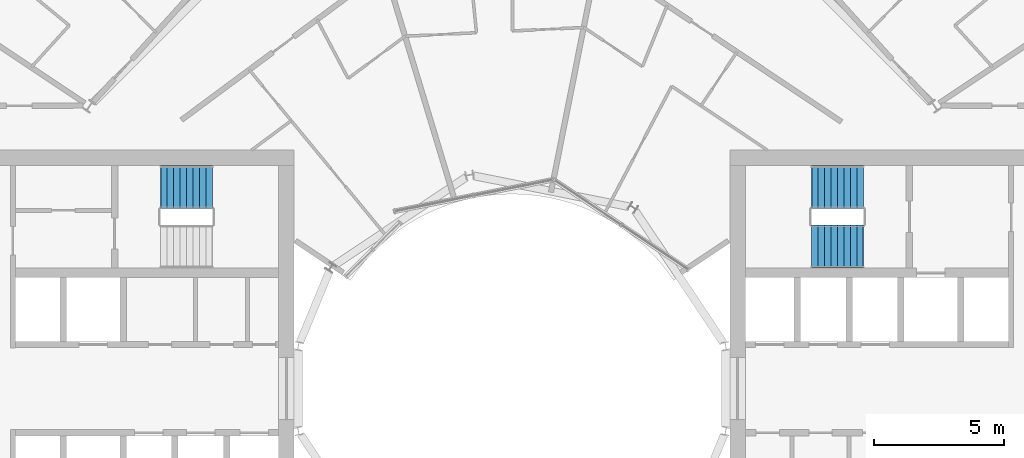
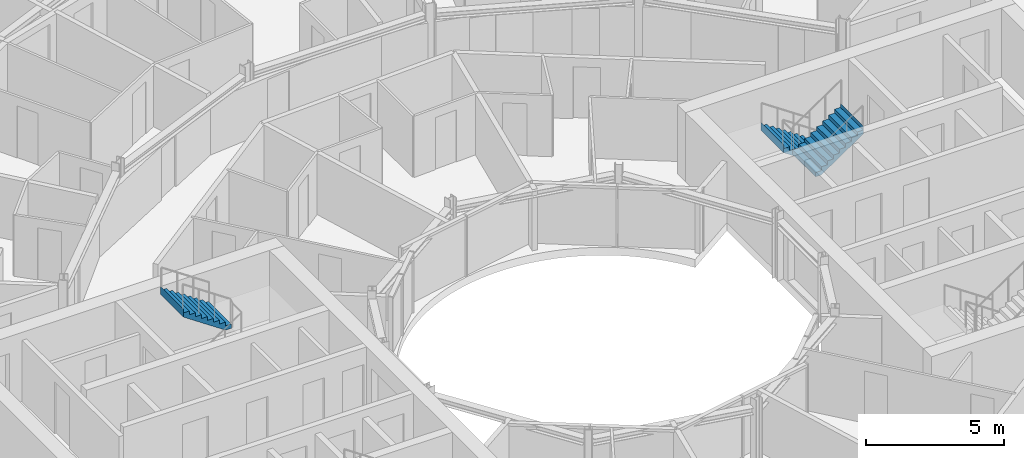
# One storey, part 25 of 26: 3 stair flights, 2 elements without a shape of their own.
"""IFC4 building model written with IfcOpenShell, lengths in metres."""

from ifc_helpers import new_model, si_unit, direction, frame, origin, place, context, subcontext, project, spatial, triangles, material, type_object, element, aggregate, save


model = new_model("IFC4")

# Units and contexts
model_context = context("Model", 3, precision=1e-05, world=origin(), true_north=direction((0.0, 1.0)))
body_context = subcontext(model_context, "Body", "Model", "MODEL_VIEW")
ifc_project = project(units=[si_unit("LENGTHUNIT", "METRE"), si_unit("AREAUNIT", "SQUARE_METRE"), si_unit("VOLUMEUNIT", "CUBIC_METRE"), si_unit("PLANEANGLEUNIT", "RADIAN"), si_unit("MASSUNIT", "GRAM", prefix="KILO")], contexts=[model_context])

# Site, building, storey
site_placement = place(None, origin())
site = spatial("IfcSite", under=ifc_project, at=site_placement, CompositionType="ELEMENT")
building_placement = place(site_placement, origin())
building = spatial("IfcBuilding", under=site, at=building_placement, Name="Maasbend Ring Residences", CompositionType="ELEMENT")
storey_placement = place(building_placement, frame((0.0, 0.0, 123.85009765625)))
storey = spatial("IfcBuildingStorey", under=building, at=storey_placement, Name="L35", CompositionType="ELEMENT", Elevation=123.85009765625)

# Stair, stair flights
ifc_material_1 = material(Name="Concrete C40/50", Category="concrete")
stair_type = type_object("IfcStairType", Name="CORE STAIR 18 RISERS", PredefinedType="HALF_TURN_STAIR", material=ifc_material_1)
stair_1_placement = place(storey_placement, origin())
stair_1 = element("IfcStair", 1, at=stair_1_placement, inside=storey, type_object=stair_type, Name="L35 Exit stair ST-E1", PredefinedType="HALF_TURN_STAIR")
ifc_material_2 = material(Name="Concrete C40/50", Category="concrete")
stair_flight_type = type_object("IfcStairFlightType", Name="CORE STAIR FLIGHT 1650", PredefinedType="STRAIGHT", material=ifc_material_2)
stair_flight_1_placement = place(storey_placement, frame((13.550048828125, 7.77490234375, 0.0), z_axis=(0.0, 0.0, 1.0), x_axis=(-1.0, 0.0, 0.0)))
stair_flight_1 = element("IfcStairFlight", 2, at=stair_flight_1_placement, type_object=stair_flight_type, Name="ST-E1 flight 1", NumberOfRisers=9, NumberOfTreads=8, PredefinedType="STRAIGHT", RiserHeight=0.169444444, TreadLength=0.25, context=body_context, shape_type="Tessellation", body=[
    triangles([(0.24072265625, 0.824951171875, -0.02001953125), (2.0029296875, 0.824951171875, 1.174560546875), (2.0029296875, 0.824951171875, 1.52490234375), (1.989990234375, 0.824951171875, 1.35546875), (1.75, 0.824951171875, 1.35546875), (1.75, 0.824951171875, 1.18603515625), (1.5, 0.824951171875, 1.18603515625), (1.5, 0.824951171875, 1.0166015625), (1.25, 0.824951171875, 1.0166015625), (1.25, 0.824951171875, 0.84716796875), (1.0, 0.824951171875, 0.84716796875), (1.0, 0.824951171875, 0.677734375), (0.75, 0.824951171875, 0.677734375), (0.75, 0.824951171875, 0.50830078125), (0.5, 0.824951171875, 0.50830078125), (0.5, 0.824951171875, 0.3388671875), (0.25, 0.824951171875, 0.3388671875), (0.25, 0.824951171875, 0.16943359375), (0.0, 0.824951171875, 0.16943359375), (0.0, 0.824951171875, 0.0), (-0.0029296875, 0.824951171875, 0.0), (-0.0029296875, 0.824951171875, -0.02001953125), (0.24072265625, 0.27490234375, -0.02001953125), (2.0029296875, 0.27490234375, 1.174560546875), (2.0029296875, 0.27490234375, 1.52490234375), (1.989990234375, 0.27490234375, 1.35546875), (1.75, 0.27490234375, 1.35546875), (1.75, 0.27490234375, 1.18603515625), (1.5, 0.27490234375, 1.18603515625), (1.5, 0.27490234375, 1.0166015625), (1.25, 0.27490234375, 1.0166015625), (1.25, 0.27490234375, 0.84716796875), (1.0, 0.27490234375, 0.84716796875), (1.0, 0.27490234375, 0.677734375), (0.75, 0.27490234375, 0.677734375), (0.75, 0.27490234375, 0.50830078125), (0.5, 0.27490234375, 0.50830078125), (0.5, 0.27490234375, 0.3388671875), (0.25, 0.27490234375, 0.3388671875), (0.25, 0.27490234375, 0.16943359375), (0.0, 0.27490234375, 0.16943359375), (0.0, 0.27490234375, 0.0), (-0.0029296875, 0.27490234375, 0.0), (-0.0029296875, 0.27490234375, -0.02001953125), (0.24072265625, -0.27490234375, -0.02001953125), (2.0029296875, -0.27490234375, 1.174560546875), (2.0029296875, -0.27490234375, 1.52490234375), (1.989990234375, -0.27490234375, 1.35546875), (1.75, -0.27490234375, 1.35546875), (1.75, -0.27490234375, 1.18603515625), (1.5, -0.27490234375, 1.18603515625), (1.5, -0.27490234375, 1.0166015625), (1.25, -0.27490234375, 1.0166015625), (1.25, -0.27490234375, 0.84716796875), (1.0, -0.27490234375, 0.84716796875), (1.0, -0.27490234375, 0.677734375), (0.75, -0.27490234375, 0.677734375), (0.75, -0.27490234375, 0.50830078125), (0.5, -0.27490234375, 0.50830078125), (0.5, -0.27490234375, 0.3388671875), (0.25, -0.27490234375, 0.3388671875), (0.25, -0.27490234375, 0.16943359375), (0.0, -0.27490234375, 0.16943359375), (0.0, -0.27490234375, 0.0), (-0.0029296875, -0.27490234375, 0.0), (-0.0029296875, -0.27490234375, -0.02001953125), (0.24072265625, -0.824951171875, -0.02001953125), (2.0029296875, -0.824951171875, 1.174560546875), (2.0029296875, -0.824951171875, 1.52490234375), (1.989990234375, -0.824951171875, 1.35546875), (1.75, -0.824951171875, 1.35546875), (1.75, -0.824951171875, 1.18603515625), (1.5, -0.824951171875, 1.18603515625), (1.5, -0.824951171875, 1.0166015625), (1.25, -0.824951171875, 1.0166015625), (1.25, -0.824951171875, 0.84716796875), (1.0, -0.824951171875, 0.84716796875), (1.0, -0.824951171875, 0.677734375), (0.75, -0.824951171875, 0.677734375), (0.75, -0.824951171875, 0.50830078125), (0.5, -0.824951171875, 0.50830078125), (0.5, -0.824951171875, 0.3388671875), (0.25, -0.824951171875, 0.3388671875), (0.25, -0.824951171875, 0.16943359375), (0.0, -0.824951171875, 0.16943359375), (0.0, -0.824951171875, 0.0), (-0.0029296875, -0.824951171875, 0.0), (-0.0029296875, -0.824951171875, -0.02001953125)], [[1, 2, 24], [1, 24, 23], [23, 24, 46], [23, 46, 45], [45, 46, 68], [45, 68, 67], [2, 3, 25], [2, 25, 24], [24, 25, 47], [24, 47, 46], [46, 47, 69], [46, 69, 68], [3, 4, 26], [3, 26, 25], [25, 26, 48], [25, 48, 47], [47, 48, 70], [47, 70, 69], [4, 5, 27], [4, 27, 26], [26, 27, 49], [26, 49, 48], [48, 49, 71], [48, 71, 70], [5, 6, 28], [5, 28, 27], [27, 28, 50], [27, 50, 49], [49, 50, 72], [49, 72, 71], [6, 7, 29], [6, 29, 28], [28, 29, 51], [28, 51, 50], [50, 51, 73], [50, 73, 72], [7, 8, 30], [7, 30, 29], [29, 30, 52], [29, 52, 51], [51, 52, 74], [51, 74, 73], [8, 9, 31], [8, 31, 30], [30, 31, 53], [30, 53, 52], [52, 53, 75], [52, 75, 74], [9, 10, 32], [9, 32, 31], [31, 32, 54], [31, 54, 53], [53, 54, 76], [53, 76, 75], [10, 11, 33], [10, 33, 32], [32, 33, 55], [32, 55, 54], [54, 55, 77], [54, 77, 76], [11, 12, 34], [11, 34, 33], [33, 34, 56], [33, 56, 55], [55, 56, 78], [55, 78, 77], [12, 13, 35], [12, 35, 34], [34, 35, 57], [34, 57, 56], [56, 57, 79], [56, 79, 78], [13, 14, 36], [13, 36, 35], [35, 36, 58], [35, 58, 57], [57, 58, 80], [57, 80, 79], [14, 15, 37], [14, 37, 36], [36, 37, 59], [36, 59, 58], [58, 59, 81], [58, 81, 80], [15, 16, 38], [15, 38, 37], [37, 38, 60], [37, 60, 59], [59, 60, 82], [59, 82, 81], [16, 17, 39], [16, 39, 38], [38, 39, 61], [38, 61, 60], [60, 61, 83], [60, 83, 82], [17, 18, 40], [17, 40, 39], [39, 40, 62], [39, 62, 61], [61, 62, 84], [61, 84, 83], [18, 19, 41], [18, 41, 40], [40, 41, 63], [40, 63, 62], [62, 63, 85], [62, 85, 84], [19, 20, 42], [19, 42, 41], [41, 42, 64], [41, 64, 63], [63, 64, 86], [63, 86, 85], [20, 21, 43], [20, 43, 42], [42, 43, 65], [42, 65, 64], [64, 65, 87], [64, 87, 86], [21, 22, 44], [21, 44, 43], [43, 44, 66], [43, 66, 65], [65, 66, 88], [65, 88, 87], [22, 1, 23], [22, 23, 44], [44, 23, 45], [44, 45, 66], [66, 45, 67], [66, 67, 88], [22, 2, 1], [2, 4, 3], [2, 5, 4], [2, 6, 5], [22, 6, 2], [6, 8, 7], [22, 8, 6], [8, 10, 9], [22, 10, 8], [10, 12, 11], [22, 12, 10], [12, 14, 13], [22, 14, 12], [14, 16, 15], [22, 16, 14], [16, 18, 17], [22, 18, 16], [18, 20, 19], [22, 20, 18], [20, 22, 21], [88, 67, 68], [68, 69, 70], [68, 70, 71], [68, 71, 72], [88, 68, 72], [72, 73, 74], [88, 72, 74], [74, 75, 76], [88, 74, 76], [76, 77, 78], [88, 76, 78], [78, 79, 80], [88, 78, 80], [80, 81, 82], [88, 80, 82], [82, 83, 84], [88, 82, 84], [84, 85, 86], [88, 84, 86], [86, 87, 88]], closed=True),
])
stair_flight_2_placement = place(storey_placement, frame((11.550048828125, 5.47509765625, 1.52490234375), z_axis=(0.0, 0.0, 1.0), x_axis=(1.0, 0.0, 0.0)))
stair_flight_2 = element("IfcStairFlight", 3, at=stair_flight_2_placement, type_object=stair_flight_type, Name="ST-E1 flight 2", NumberOfRisers=9, NumberOfTreads=8, PredefinedType="STRAIGHT", RiserHeight=0.169444444, TreadLength=0.25, context=body_context, shape_type="Tessellation", body=[
    triangles([(0.24072265625, 0.824951171875, -0.02001953125), (2.0029296875, 0.824951171875, 1.174560546875), (2.0029296875, 0.824951171875, 1.52490234375), (1.989990234375, 0.824951171875, 1.35546875), (1.75, 0.824951171875, 1.35546875), (1.75, 0.824951171875, 1.18603515625), (1.5, 0.824951171875, 1.18603515625), (1.5, 0.824951171875, 1.0166015625), (1.25, 0.824951171875, 1.0166015625), (1.25, 0.824951171875, 0.84716796875), (1.0, 0.824951171875, 0.84716796875), (1.0, 0.824951171875, 0.677734375), (0.75, 0.824951171875, 0.677734375), (0.75, 0.824951171875, 0.50830078125), (0.5, 0.824951171875, 0.50830078125), (0.5, 0.824951171875, 0.3388671875), (0.25, 0.824951171875, 0.3388671875), (0.25, 0.824951171875, 0.16943359375), (0.0, 0.824951171875, 0.16943359375), (0.0, 0.824951171875, 0.0), (-0.0029296875, 0.824951171875, 0.0), (-0.0029296875, 0.824951171875, -0.02001953125), (0.24072265625, 0.27490234375, -0.02001953125), (2.0029296875, 0.27490234375, 1.174560546875), (2.0029296875, 0.27490234375, 1.52490234375), (1.989990234375, 0.27490234375, 1.35546875), (1.75, 0.27490234375, 1.35546875), (1.75, 0.27490234375, 1.18603515625), (1.5, 0.27490234375, 1.18603515625), (1.5, 0.27490234375, 1.0166015625), (1.25, 0.27490234375, 1.0166015625), (1.25, 0.27490234375, 0.84716796875), (1.0, 0.27490234375, 0.84716796875), (1.0, 0.27490234375, 0.677734375), (0.75, 0.27490234375, 0.677734375), (0.75, 0.27490234375, 0.50830078125), (0.5, 0.27490234375, 0.50830078125), (0.5, 0.27490234375, 0.3388671875), (0.25, 0.27490234375, 0.3388671875), (0.25, 0.27490234375, 0.16943359375), (0.0, 0.27490234375, 0.16943359375), (0.0, 0.27490234375, 0.0), (-0.0029296875, 0.27490234375, 0.0), (-0.0029296875, 0.27490234375, -0.02001953125), (0.24072265625, -0.27490234375, -0.02001953125), (2.0029296875, -0.27490234375, 1.174560546875), (2.0029296875, -0.27490234375, 1.52490234375), (1.989990234375, -0.27490234375, 1.35546875), (1.75, -0.27490234375, 1.35546875), (1.75, -0.27490234375, 1.18603515625), (1.5, -0.27490234375, 1.18603515625), (1.5, -0.27490234375, 1.0166015625), (1.25, -0.27490234375, 1.0166015625), (1.25, -0.27490234375, 0.84716796875), (1.0, -0.27490234375, 0.84716796875), (1.0, -0.27490234375, 0.677734375), (0.75, -0.27490234375, 0.677734375), (0.75, -0.27490234375, 0.50830078125), (0.5, -0.27490234375, 0.50830078125), (0.5, -0.27490234375, 0.3388671875), (0.25, -0.27490234375, 0.3388671875), (0.25, -0.27490234375, 0.16943359375), (0.0, -0.27490234375, 0.16943359375), (0.0, -0.27490234375, 0.0), (-0.0029296875, -0.27490234375, 0.0), (-0.0029296875, -0.27490234375, -0.02001953125), (0.24072265625, -0.824951171875, -0.02001953125), (2.0029296875, -0.824951171875, 1.174560546875), (2.0029296875, -0.824951171875, 1.52490234375), (1.989990234375, -0.824951171875, 1.35546875), (1.75, -0.824951171875, 1.35546875), (1.75, -0.824951171875, 1.18603515625), (1.5, -0.824951171875, 1.18603515625), (1.5, -0.824951171875, 1.0166015625), (1.25, -0.824951171875, 1.0166015625), (1.25, -0.824951171875, 0.84716796875), (1.0, -0.824951171875, 0.84716796875), (1.0, -0.824951171875, 0.677734375), (0.75, -0.824951171875, 0.677734375), (0.75, -0.824951171875, 0.50830078125), (0.5, -0.824951171875, 0.50830078125), (0.5, -0.824951171875, 0.3388671875), (0.25, -0.824951171875, 0.3388671875), (0.25, -0.824951171875, 0.16943359375), (0.0, -0.824951171875, 0.16943359375), (0.0, -0.824951171875, 0.0), (-0.0029296875, -0.824951171875, 0.0), (-0.0029296875, -0.824951171875, -0.02001953125)], [[1, 2, 24], [1, 24, 23], [23, 24, 46], [23, 46, 45], [45, 46, 68], [45, 68, 67], [2, 3, 25], [2, 25, 24], [24, 25, 47], [24, 47, 46], [46, 47, 69], [46, 69, 68], [3, 4, 26], [3, 26, 25], [25, 26, 48], [25, 48, 47], [47, 48, 70], [47, 70, 69], [4, 5, 27], [4, 27, 26], [26, 27, 49], [26, 49, 48], [48, 49, 71], [48, 71, 70], [5, 6, 28], [5, 28, 27], [27, 28, 50], [27, 50, 49], [49, 50, 72], [49, 72, 71], [6, 7, 29], [6, 29, 28], [28, 29, 51], [28, 51, 50], [50, 51, 73], [50, 73, 72], [7, 8, 30], [7, 30, 29], [29, 30, 52], [29, 52, 51], [51, 52, 74], [51, 74, 73], [8, 9, 31], [8, 31, 30], [30, 31, 53], [30, 53, 52], [52, 53, 75], [52, 75, 74], [9, 10, 32], [9, 32, 31], [31, 32, 54], [31, 54, 53], [53, 54, 76], [53, 76, 75], [10, 11, 33], [10, 33, 32], [32, 33, 55], [32, 55, 54], [54, 55, 77], [54, 77, 76], [11, 12, 34], [11, 34, 33], [33, 34, 56], [33, 56, 55], [55, 56, 78], [55, 78, 77], [12, 13, 35], [12, 35, 34], [34, 35, 57], [34, 57, 56], [56, 57, 79], [56, 79, 78], [13, 14, 36], [13, 36, 35], [35, 36, 58], [35, 58, 57], [57, 58, 80], [57, 80, 79], [14, 15, 37], [14, 37, 36], [36, 37, 59], [36, 59, 58], [58, 59, 81], [58, 81, 80], [15, 16, 38], [15, 38, 37], [37, 38, 60], [37, 60, 59], [59, 60, 82], [59, 82, 81], [16, 17, 39], [16, 39, 38], [38, 39, 61], [38, 61, 60], [60, 61, 83], [60, 83, 82], [17, 18, 40], [17, 40, 39], [39, 40, 62], [39, 62, 61], [61, 62, 84], [61, 84, 83], [18, 19, 41], [18, 41, 40], [40, 41, 63], [40, 63, 62], [62, 63, 85], [62, 85, 84], [19, 20, 42], [19, 42, 41], [41, 42, 64], [41, 64, 63], [63, 64, 86], [63, 86, 85], [20, 21, 43], [20, 43, 42], [42, 43, 65], [42, 65, 64], [64, 65, 87], [64, 87, 86], [21, 22, 44], [21, 44, 43], [43, 44, 66], [43, 66, 65], [65, 66, 88], [65, 88, 87], [22, 1, 23], [22, 23, 44], [44, 23, 45], [44, 45, 66], [66, 45, 67], [66, 67, 88], [22, 2, 1], [2, 4, 3], [2, 5, 4], [2, 6, 5], [22, 6, 2], [6, 8, 7], [22, 8, 6], [8, 10, 9], [22, 10, 8], [10, 12, 11], [22, 12, 10], [12, 14, 13], [22, 14, 12], [14, 16, 15], [22, 16, 14], [16, 18, 17], [22, 18, 16], [18, 20, 19], [22, 20, 18], [20, 22, 21], [88, 67, 68], [68, 69, 70], [68, 70, 71], [68, 71, 72], [88, 68, 72], [72, 73, 74], [88, 72, 74], [74, 75, 76], [88, 74, 76], [76, 77, 78], [88, 76, 78], [78, 79, 80], [88, 78, 80], [80, 81, 82], [88, 80, 82], [82, 83, 84], [88, 82, 84], [84, 85, 86], [88, 84, 86], [86, 87, 88]], closed=True),
])
aggregate(stair_1, [stair_flight_1, stair_flight_2])

# Stair, stair flight
stair_2_placement = place(storey_placement, origin())
stair_2 = element("IfcStair", 4, at=stair_2_placement, inside=storey, type_object=stair_type, Name="L35 Exit stair ST-W2", PredefinedType="HALF_TURN_STAIR")
stair_flight_3_placement = place(storey_placement, frame((-11.550048828125, 7.77490234375, 1.52490234375), z_axis=(0.0, 0.0, 1.0), x_axis=(-1.0, 0.0, 0.0)))
stair_flight_3 = element("IfcStairFlight", 5, at=stair_flight_3_placement, type_object=stair_flight_type, Name="ST-W2 flight 2", NumberOfRisers=9, NumberOfTreads=8, PredefinedType="STRAIGHT", RiserHeight=0.169444444, TreadLength=0.25, context=body_context, shape_type="Tessellation", body=[
    triangles([(0.24072265625, 0.824951171875, -0.02001953125), (2.0029296875, 0.824951171875, 1.174560546875), (2.0029296875, 0.824951171875, 1.52490234375), (1.989990234375, 0.824951171875, 1.35546875), (1.75, 0.824951171875, 1.35546875), (1.75, 0.824951171875, 1.18603515625), (1.5, 0.824951171875, 1.18603515625), (1.5, 0.824951171875, 1.0166015625), (1.25, 0.824951171875, 1.0166015625), (1.25, 0.824951171875, 0.84716796875), (1.0, 0.824951171875, 0.84716796875), (1.0, 0.824951171875, 0.677734375), (0.75, 0.824951171875, 0.677734375), (0.75, 0.824951171875, 0.50830078125), (0.5, 0.824951171875, 0.50830078125), (0.5, 0.824951171875, 0.3388671875), (0.25, 0.824951171875, 0.3388671875), (0.25, 0.824951171875, 0.16943359375), (0.0, 0.824951171875, 0.16943359375), (0.0, 0.824951171875, 0.0), (-0.0029296875, 0.824951171875, 0.0), (-0.0029296875, 0.824951171875, -0.02001953125), (0.24072265625, 0.27490234375, -0.02001953125), (2.0029296875, 0.27490234375, 1.174560546875), (2.0029296875, 0.27490234375, 1.52490234375), (1.989990234375, 0.27490234375, 1.35546875), (1.75, 0.27490234375, 1.35546875), (1.75, 0.27490234375, 1.18603515625), (1.5, 0.27490234375, 1.18603515625), (1.5, 0.27490234375, 1.0166015625), (1.25, 0.27490234375, 1.0166015625), (1.25, 0.27490234375, 0.84716796875), (1.0, 0.27490234375, 0.84716796875), (1.0, 0.27490234375, 0.677734375), (0.75, 0.27490234375, 0.677734375), (0.75, 0.27490234375, 0.50830078125), (0.5, 0.27490234375, 0.50830078125), (0.5, 0.27490234375, 0.3388671875), (0.25, 0.27490234375, 0.3388671875), (0.25, 0.27490234375, 0.16943359375), (0.0, 0.27490234375, 0.16943359375), (0.0, 0.27490234375, 0.0), (-0.0029296875, 0.27490234375, 0.0), (-0.0029296875, 0.27490234375, -0.02001953125), (0.24072265625, -0.27490234375, -0.02001953125), (2.0029296875, -0.27490234375, 1.174560546875), (2.0029296875, -0.27490234375, 1.52490234375), (1.989990234375, -0.27490234375, 1.35546875), (1.75, -0.27490234375, 1.35546875), (1.75, -0.27490234375, 1.18603515625), (1.5, -0.27490234375, 1.18603515625), (1.5, -0.27490234375, 1.0166015625), (1.25, -0.27490234375, 1.0166015625), (1.25, -0.27490234375, 0.84716796875), (1.0, -0.27490234375, 0.84716796875), (1.0, -0.27490234375, 0.677734375), (0.75, -0.27490234375, 0.677734375), (0.75, -0.27490234375, 0.50830078125), (0.5, -0.27490234375, 0.50830078125), (0.5, -0.27490234375, 0.3388671875), (0.25, -0.27490234375, 0.3388671875), (0.25, -0.27490234375, 0.16943359375), (0.0, -0.27490234375, 0.16943359375), (0.0, -0.27490234375, 0.0), (-0.0029296875, -0.27490234375, 0.0), (-0.0029296875, -0.27490234375, -0.02001953125), (0.24072265625, -0.824951171875, -0.02001953125), (2.0029296875, -0.824951171875, 1.174560546875), (2.0029296875, -0.824951171875, 1.52490234375), (1.989990234375, -0.824951171875, 1.35546875), (1.75, -0.824951171875, 1.35546875), (1.75, -0.824951171875, 1.18603515625), (1.5, -0.824951171875, 1.18603515625), (1.5, -0.824951171875, 1.0166015625), (1.25, -0.824951171875, 1.0166015625), (1.25, -0.824951171875, 0.84716796875), (1.0, -0.824951171875, 0.84716796875), (1.0, -0.824951171875, 0.677734375), (0.75, -0.824951171875, 0.677734375), (0.75, -0.824951171875, 0.50830078125), (0.5, -0.824951171875, 0.50830078125), (0.5, -0.824951171875, 0.3388671875), (0.25, -0.824951171875, 0.3388671875), (0.25, -0.824951171875, 0.16943359375), (0.0, -0.824951171875, 0.16943359375), (0.0, -0.824951171875, 0.0), (-0.0029296875, -0.824951171875, 0.0), (-0.0029296875, -0.824951171875, -0.02001953125)], [[1, 2, 24], [1, 24, 23], [23, 24, 46], [23, 46, 45], [45, 46, 68], [45, 68, 67], [2, 3, 25], [2, 25, 24], [24, 25, 47], [24, 47, 46], [46, 47, 69], [46, 69, 68], [3, 4, 26], [3, 26, 25], [25, 26, 48], [25, 48, 47], [47, 48, 70], [47, 70, 69], [4, 5, 27], [4, 27, 26], [26, 27, 49], [26, 49, 48], [48, 49, 71], [48, 71, 70], [5, 6, 28], [5, 28, 27], [27, 28, 50], [27, 50, 49], [49, 50, 72], [49, 72, 71], [6, 7, 29], [6, 29, 28], [28, 29, 51], [28, 51, 50], [50, 51, 73], [50, 73, 72], [7, 8, 30], [7, 30, 29], [29, 30, 52], [29, 52, 51], [51, 52, 74], [51, 74, 73], [8, 9, 31], [8, 31, 30], [30, 31, 53], [30, 53, 52], [52, 53, 75], [52, 75, 74], [9, 10, 32], [9, 32, 31], [31, 32, 54], [31, 54, 53], [53, 54, 76], [53, 76, 75], [10, 11, 33], [10, 33, 32], [32, 33, 55], [32, 55, 54], [54, 55, 77], [54, 77, 76], [11, 12, 34], [11, 34, 33], [33, 34, 56], [33, 56, 55], [55, 56, 78], [55, 78, 77], [12, 13, 35], [12, 35, 34], [34, 35, 57], [34, 57, 56], [56, 57, 79], [56, 79, 78], [13, 14, 36], [13, 36, 35], [35, 36, 58], [35, 58, 57], [57, 58, 80], [57, 80, 79], [14, 15, 37], [14, 37, 36], [36, 37, 59], [36, 59, 58], [58, 59, 81], [58, 81, 80], [15, 16, 38], [15, 38, 37], [37, 38, 60], [37, 60, 59], [59, 60, 82], [59, 82, 81], [16, 17, 39], [16, 39, 38], [38, 39, 61], [38, 61, 60], [60, 61, 83], [60, 83, 82], [17, 18, 40], [17, 40, 39], [39, 40, 62], [39, 62, 61], [61, 62, 84], [61, 84, 83], [18, 19, 41], [18, 41, 40], [40, 41, 63], [40, 63, 62], [62, 63, 85], [62, 85, 84], [19, 20, 42], [19, 42, 41], [41, 42, 64], [41, 64, 63], [63, 64, 86], [63, 86, 85], [20, 21, 43], [20, 43, 42], [42, 43, 65], [42, 65, 64], [64, 65, 87], [64, 87, 86], [21, 22, 44], [21, 44, 43], [43, 44, 66], [43, 66, 65], [65, 66, 88], [65, 88, 87], [22, 1, 23], [22, 23, 44], [44, 23, 45], [44, 45, 66], [66, 45, 67], [66, 67, 88], [22, 2, 1], [2, 4, 3], [2, 5, 4], [2, 6, 5], [22, 6, 2], [6, 8, 7], [22, 8, 6], [8, 10, 9], [22, 10, 8], [10, 12, 11], [22, 12, 10], [12, 14, 13], [22, 14, 12], [14, 16, 15], [22, 16, 14], [16, 18, 17], [22, 18, 16], [18, 20, 19], [22, 20, 18], [20, 22, 21], [88, 67, 68], [68, 69, 70], [68, 70, 71], [68, 71, 72], [88, 68, 72], [72, 73, 74], [88, 72, 74], [74, 75, 76], [88, 74, 76], [76, 77, 78], [88, 76, 78], [78, 79, 80], [88, 78, 80], [80, 81, 82], [88, 80, 82], [82, 83, 84], [88, 82, 84], [84, 85, 86], [88, 84, 86], [86, 87, 88]], closed=True),
])
aggregate(stair_2, [stair_flight_3])

save(model, "model.ifc")
